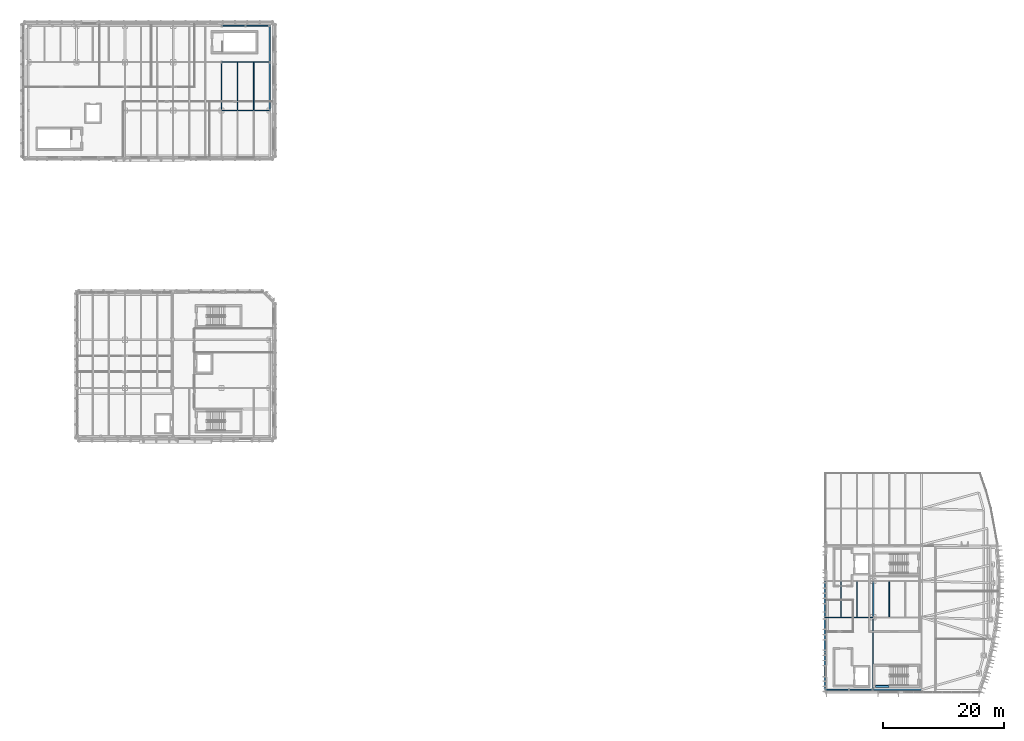
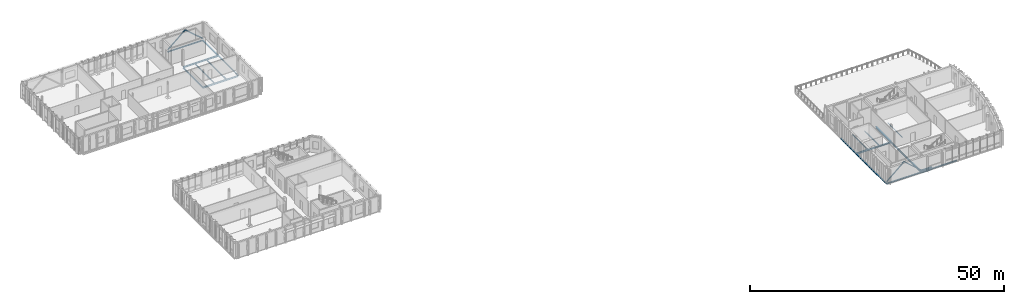
# One storey, part 16 of 40: 20 beams, 4 members.
"""IFC4 building model written with IfcOpenShell, lengths in metres."""

from ifc_helpers import new_model, si_unit, direction, frame, origin, origin_2d, place, context, subcontext, project, spatial, rectangle, hollow_rectangle, i_section, extrude, material, material_profile, profile_set, type_object, element, save


model = new_model("IFC4")

# Units and contexts
model_context = context("Model", 3, precision=1e-05, world=origin(), true_north=direction((0.0, 1.0)))
body_context = subcontext(model_context, "Body", "Model", "MODEL_VIEW")
ifc_project = project(units=[si_unit("LENGTHUNIT", "METRE"), si_unit("AREAUNIT", "SQUARE_METRE"), si_unit("VOLUMEUNIT", "CUBIC_METRE"), si_unit("PLANEANGLEUNIT", "RADIAN"), si_unit("MASSUNIT", "GRAM", prefix="KILO")], contexts=[model_context])

# Site, building, storey
site_placement = place(None, origin())
site = spatial("IfcSite", under=ifc_project, at=site_placement, CompositionType="ELEMENT")
building_placement = place(site_placement, origin())
building = spatial("IfcBuilding", under=site, at=building_placement, Name="Cymarion Research Institute", CompositionType="ELEMENT")
storey_placement = place(building_placement, frame((0.0, 0.0, 26.699951171875)))
storey = spatial("IfcBuildingStorey", under=building, at=storey_placement, Name="L06", CompositionType="ELEMENT", Elevation=26.699951171875)

# Beams
ifc_material_1 = material(Name="Concrete C40/50", Category="concrete")
ifc_material_profile_1 = material_profile(ifc_material_1, rectangle(XDim=0.300048828125, YDim=0.75, at=origin_2d()), Name="RC 300x750")
ifc_profile_set_1 = profile_set([ifc_material_profile_1], Name="Concrete C40/50")
beam_type_1 = type_object("IfcBeamType", Name="COUPLING LINTEL LN01 RC 300x750", PredefinedType="LINTEL", material=ifc_profile_set_1)
beam_1_placement = place(storey_placement, frame((147.0, 6.050048828125, -0.614990234375), z_axis=(1.0, 0.0, 0.0), x_axis=(0.0, 1.0, 0.0)))
element("IfcBeam", 1, at=beam_1_placement, inside=storey, type_object=beam_type_1, Name="L06 C1 core coupling lintel LN01", PredefinedType="LINTEL", context=body_context, shape_type="SweptSolid", body=[
    extrude(rectangle(XDim=0.300048828125, YDim=0.75, at=origin_2d()), origin(), (0.0, 0.0, 1.0), 2.199951171875),
])
ifc_material_2 = material(Name="Steel S355", Category="steel")
ifc_material_profile_2 = material_profile(ifc_material_2, i_section(OverallWidth=0.179931640625, OverallDepth=0.39990234375, WebThickness=0.008544921875, FlangeThickness=0.013427734375, FilletRadius=0.02099609375, at=origin_2d()), Name="IPE 400")
ifc_profile_set_2 = profile_set([ifc_material_profile_2], Name="Steel S355")
beam_type_2 = type_object("IfcBeamType", Name="PRIMARY GIRDER BM05 IPE 400", PredefinedType="BEAM", material=ifc_profile_set_2)
beam_2_placement = place(storey_placement, frame((138.60595703125, 17.5, -0.419921875), z_axis=(1.0, 0.0, 0.0), x_axis=(0.0, 1.0, 0.0)))
element("IfcBeam", 2, at=beam_2_placement, inside=storey, type_object=beam_type_2, Name="L06 V1 girder BM05 #2042", PredefinedType="BEAM", context=body_context, shape_type="SweptSolid", body=[
    extrude(i_section(OverallWidth=0.179931640625, OverallDepth=0.39990234375, WebThickness=0.008544921875, FlangeThickness=0.013427734375, FilletRadius=0.02099609375, at=origin_2d()), origin(), (0.0, 0.0, 1.0), 7.988037109375),
])
beam_3_placement = place(storey_placement, frame((146.60009765625, 5.506103515625, -0.419921875), z_axis=(0.0, 1.0, 0.0), x_axis=(-1.0, 0.0, 0.0)))
element("IfcBeam", 3, at=beam_3_placement, inside=storey, type_object=beam_type_2, Name="L06 V1 girder BM05 #2058", PredefinedType="BEAM", context=body_context, shape_type="SweptSolid", body=[
    extrude(i_section(OverallWidth=0.179931640625, OverallDepth=0.39990234375, WebThickness=0.008544921875, FlangeThickness=0.013427734375, FilletRadius=0.02099609375, at=origin_2d()), origin(), (0.0, 0.0, 1.0), 11.98779296875),
])
for number, where, z_axis, x_axis, name in (
    (4, (38.60595703125, 101.5, -0.419921875), (1.0, 0.0, 0.0), (0.0, 1.0, 0.0), "L06 V5 girder BM05 #2143"),
    (5, (38.60595703125, 109.5, -0.419921875), (1.0, 0.0, 0.0), (0.0, 1.0, 0.0), "L06 V5 girder BM05 #2148"),
):
    element("IfcBeam", number, at=place(storey_placement, frame(where, z_axis=z_axis, x_axis=x_axis)), inside=storey, type_object=beam_type_2, Name=name, PredefinedType="BEAM", context=body_context, shape_type="SweptSolid", body=[
        extrude(i_section(OverallWidth=0.179931640625, OverallDepth=0.39990234375, WebThickness=0.008544921875, FlangeThickness=0.013427734375, FilletRadius=0.02099609375, at=origin_2d()), origin(), (0.0, 0.0, 1.0), 7.988037109375),
    ])
beam_4_placement = place(storey_placement, frame((38.60009765625, 101.506103515625, -0.419921875), z_axis=(0.0, 1.0, 0.0), x_axis=(-1.0, 0.0, 0.0)))
element("IfcBeam", 6, at=beam_4_placement, inside=storey, type_object=beam_type_2, Name="L06 V5 girder BM05 #2165", PredefinedType="BEAM", context=body_context, shape_type="SweptSolid", body=[
    extrude(i_section(OverallWidth=0.179931640625, OverallDepth=0.39990234375, WebThickness=0.008544921875, FlangeThickness=0.013427734375, FilletRadius=0.02099609375, at=origin_2d()), origin(), (0.0, 0.0, 1.0), 7.98779296875),
])
ifc_material_profile_3 = material_profile(ifc_material_2, i_section(OverallWidth=0.300048828125, OverallDepth=0.35009765625, WebThickness=0.010009765625, FlangeThickness=0.017578125, FilletRadius=0.027099609375, at=origin_2d()), Name="HEA 360")
ifc_profile_set_3 = profile_set([ifc_material_profile_3], Name="Steel S355")
beam_type_3 = type_object("IfcBeamType", Name="PRIMARY GIRDER BM12 HEA 360", PredefinedType="BEAM", material=ifc_profile_set_3)
beam_5_placement = place(storey_placement, frame((146.60009765625, 17.506103515625, -0.39501953125), z_axis=(0.0, 1.0, 0.0), x_axis=(-1.0, 0.0, 0.0)))
element("IfcBeam", 7, at=beam_5_placement, inside=storey, type_object=beam_type_3, Name="L06 V1 girder BM12 #2059", PredefinedType="BEAM", context=body_context, shape_type="SweptSolid", body=[
    extrude(i_section(OverallWidth=0.300048828125, OverallDepth=0.35009765625, WebThickness=0.010009765625, FlangeThickness=0.017578125, FilletRadius=0.027099609375, at=origin_2d()), origin(), (0.0, 0.0, 1.0), 5.98779296875),
])
ifc_material_profile_4 = material_profile(ifc_material_2, i_section(OverallWidth=0.14990234375, OverallDepth=0.300048828125, WebThickness=0.007080078125, FlangeThickness=0.0107421875, FilletRadius=0.014892578125, at=origin_2d()), Name="IPE 300")
ifc_profile_set_4 = profile_set([ifc_material_profile_4], Name="Steel S355")
beam_type_4 = type_object("IfcBeamType", Name="SECONDARY JOIST JS02 IPE 300", PredefinedType="JOIST", material=ifc_profile_set_4)
for number, where, z_axis, x_axis, name in (
    (8, (41.2666015625, 101.593994140625, -0.369873046875), (0.0, 1.0, 0.0), (-1.0, 0.0, 0.0), "L06 V5 secondary joist JS02 #2179"),
    (9, (43.933349609375, 101.593994140625, -0.369873046875), (0.0, 1.0, 0.0), (-1.0, 0.0, 0.0), "L06 V5 secondary joist JS02 #2180"),
):
    element("IfcBeam", number, at=place(storey_placement, frame(where, z_axis=z_axis, x_axis=x_axis)), inside=storey, type_object=beam_type_4, Name=name, PredefinedType="JOIST", context=body_context, shape_type="SweptSolid", body=[
        extrude(i_section(OverallWidth=0.14990234375, OverallDepth=0.300048828125, WebThickness=0.007080078125, FlangeThickness=0.0107421875, FilletRadius=0.014892578125, at=origin_2d()), origin(), (0.0, 0.0, 1.0), 7.81201171875),
    ])
ifc_material_profile_5 = material_profile(ifc_material_2, i_section(OverallWidth=0.1201171875, OverallDepth=0.239990234375, WebThickness=0.006103515625, FlangeThickness=0.009765625, FilletRadius=0.014892578125, at=origin_2d()), Name="IPE 240")
ifc_profile_set_5 = profile_set([ifc_material_profile_5], Name="Steel S355")
beam_type_5 = type_object("IfcBeamType", Name="SECONDARY JOIST JS04 IPE 240", PredefinedType="JOIST", material=ifc_profile_set_5)
for number, where, z_axis, x_axis, name in (
    (10, (141.2666015625, 17.593994140625, -0.33984375), (0.0, 1.0, 0.0), (-1.0, 0.0, 0.0), "L06 V1 secondary joist JS04 #2085"),
    (11, (143.933349609375, 17.593994140625, -0.33984375), (0.0, 1.0, 0.0), (-1.0, 0.0, 0.0), "L06 V1 secondary joist JS04 #2086"),
    (12, (149.2666015625, 17.593994140625, -0.33984375), (0.0, 1.0, 0.0), (-1.0, 0.0, 0.0), "L06 V1 secondary joist JS04 #2087"),
):
    element("IfcBeam", number, at=place(storey_placement, frame(where, z_axis=z_axis, x_axis=x_axis)), inside=storey, type_object=beam_type_5, Name=name, PredefinedType="JOIST", context=body_context, shape_type="SweptSolid", body=[
        extrude(i_section(OverallWidth=0.1201171875, OverallDepth=0.239990234375, WebThickness=0.006103515625, FlangeThickness=0.009765625, FilletRadius=0.014892578125, at=origin_2d()), origin(), (0.0, 0.0, 1.0), 5.81201171875),
    ])
ifc_material_profile_6 = material_profile(ifc_material_2, i_section(OverallWidth=0.239990234375, OverallDepth=0.22998046875, WebThickness=0.007568359375, FlangeThickness=0.011962890625, FilletRadius=0.02099609375, at=origin_2d()), Name="HEA 240")
ifc_profile_set_6 = profile_set([ifc_material_profile_6], Name="Steel S355")
beam_type_6 = type_object("IfcBeamType", Name="SPANDREL BEAM SPB03 HEA 240", PredefinedType="SPANDREL", material=ifc_profile_set_6)
for number, where, z_axis, x_axis, name in (
    (13, (138.60595703125, 5.5, -0.3349609375), (1.0, 0.0, 0.0), (0.0, 1.0, 0.0), "L06 V1 girder SPB03 #2040"),
    (14, (146.60595703125, 5.5, -0.3349609375), (1.0, 0.0, 0.0), (0.0, 1.0, 0.0), "L06 V1 girder SPB03 #2041"),
):
    element("IfcBeam", number, at=place(storey_placement, frame(where, z_axis=z_axis, x_axis=x_axis)), inside=storey, type_object=beam_type_6, Name=name, PredefinedType="SPANDREL", context=body_context, shape_type="SweptSolid", body=[
        extrude(i_section(OverallWidth=0.239990234375, OverallDepth=0.22998046875, WebThickness=0.007568359375, FlangeThickness=0.011962890625, FilletRadius=0.02099609375, at=origin_2d()), origin(), (0.0, 0.0, 1.0), 7.988037109375),
    ])
for number, where, z_axis, x_axis, name in (
    (15, (138.60009765625, 5.506103515625, -0.3349609375), (0.0, 1.0, 0.0), (-1.0, 0.0, 0.0), "L06 V1 girder SPB03 #2052"),
    (16, (138.60009765625, 11.506103515625, -0.3349609375), (0.0, 1.0, 0.0), (-1.0, 0.0, 0.0), "L06 V1 girder SPB03 #2053"),
    (17, (138.60009765625, 17.506103515625, -0.3349609375), (0.0, 1.0, 0.0), (-1.0, 0.0, 0.0), "L06 V1 girder SPB03 #2054"),
):
    element("IfcBeam", number, at=place(storey_placement, frame(where, z_axis=z_axis, x_axis=x_axis)), inside=storey, type_object=beam_type_6, Name=name, PredefinedType="SPANDREL", context=body_context, shape_type="SweptSolid", body=[
        extrude(i_section(OverallWidth=0.239990234375, OverallDepth=0.22998046875, WebThickness=0.007568359375, FlangeThickness=0.011962890625, FilletRadius=0.02099609375, at=origin_2d()), origin(), (0.0, 0.0, 1.0), 5.98779296875),
    ])
beam_6_placement = place(storey_placement, frame((38.60595703125, 115.5, -0.3349609375), z_axis=(1.0, 0.0, 0.0), x_axis=(0.0, 1.0, 0.0)))
element("IfcBeam", 18, at=beam_6_placement, inside=storey, type_object=beam_type_6, Name="L06 V5 girder SPB03 #2153", PredefinedType="SPANDREL", context=body_context, shape_type="SweptSolid", body=[
    extrude(i_section(OverallWidth=0.239990234375, OverallDepth=0.22998046875, WebThickness=0.007568359375, FlangeThickness=0.011962890625, FilletRadius=0.02099609375, at=origin_2d()), origin(), (0.0, 0.0, 1.0), 7.988037109375),
])
beam_7_placement = place(storey_placement, frame((46.60009765625, 109.506103515625, -0.3349609375), z_axis=(0.0, 1.0, 0.0), x_axis=(-1.0, 0.0, 0.0)))
element("IfcBeam", 19, at=beam_7_placement, inside=storey, type_object=beam_type_6, Name="L06 V5 girder SPB03 #2168", PredefinedType="SPANDREL", context=body_context, shape_type="SweptSolid", body=[
    extrude(i_section(OverallWidth=0.239990234375, OverallDepth=0.22998046875, WebThickness=0.007568359375, FlangeThickness=0.011962890625, FilletRadius=0.02099609375, at=origin_2d()), origin(), (0.0, 0.0, 1.0), 5.98779296875),
])
ifc_material_profile_7 = material_profile(ifc_material_2, i_section(OverallWidth=0.199951171875, OverallDepth=0.18994140625, WebThickness=0.006591796875, FlangeThickness=0.010009765625, FilletRadius=0.01806640625, at=origin_2d()), Name="HEA 200")
ifc_profile_set_7 = profile_set([ifc_material_profile_7], Name="Steel S355")
beam_type_7 = type_object("IfcBeamType", Name="SPANDREL BEAM SPB04 HEA 200", PredefinedType="SPANDREL", material=ifc_profile_set_7)
beam_8_placement = place(storey_placement, frame((46.60009765625, 101.506103515625, -0.31494140625), z_axis=(0.0, 1.0, 0.0), x_axis=(-1.0, 0.0, 0.0)))
element("IfcBeam", 20, at=beam_8_placement, inside=storey, type_object=beam_type_7, Name="L06 V5 girder SPB04 #2167", PredefinedType="SPANDREL", context=body_context, shape_type="SweptSolid", body=[
    extrude(i_section(OverallWidth=0.199951171875, OverallDepth=0.18994140625, WebThickness=0.006591796875, FlangeThickness=0.010009765625, FilletRadius=0.01806640625, at=origin_2d()), origin(), (0.0, 0.0, 1.0), 7.98779296875),
])

# Members
ifc_material_profile_8 = material_profile(ifc_material_2, hollow_rectangle(XDim=0.199951171875, YDim=0.199951171875, WallThickness=0.010009765625, InnerFilletRadius=0.014892578125, OuterFilletRadius=0.02490234375, at=origin_2d()), Name="SHS 200x200x10")
ifc_profile_set_8 = profile_set([ifc_material_profile_8], Name="Steel S355")
member_type_1 = type_object("IfcMemberType", Name="STRUCTURAL MEMBER BR07 SHS 200x200x10", PredefinedType="BRACE", material=ifc_profile_set_8)
for number, where, z_axis, x_axis, name in (
    (21, (138.615234375, 5.5, 0.1201171875), (0.758217409765, 0.0, 0.652001809453), (0.0, 1.0, 0.0), "L06 V1 seismic chevron brace BR07 #1"),
    (22, (146.584716796875, 5.5, 0.1201171875), (-0.758217409765, 0.0, 0.652001809453), (0.0, -1.0, 0.0), "L06 V1 seismic chevron brace BR07 #2"),
):
    element("IfcMember", number, at=place(storey_placement, frame(where, z_axis=z_axis, x_axis=x_axis)), inside=storey, type_object=member_type_1, Name=name, PredefinedType="BRACE", context=body_context, shape_type="SweptSolid", body=[
        extrude(hollow_rectangle(XDim=0.199951171875, YDim=0.199951171875, WallThickness=0.010009765625, InnerFilletRadius=0.014892578125, OuterFilletRadius=0.02490234375, at=origin_2d()), origin(), (0.0, 0.0, 1.0), 5.245361328125),
    ])
ifc_material_profile_9 = material_profile(ifc_material_2, hollow_rectangle(XDim=0.14990234375, YDim=0.25, WallThickness=0.010009765625, InnerFilletRadius=0.014892578125, OuterFilletRadius=0.02490234375, at=origin_2d()), Name="RHS 250x150x10")
ifc_profile_set_9 = profile_set([ifc_material_profile_9], Name="Steel S355")
member_type_2 = type_object("IfcMemberType", Name="STRUCTURAL MEMBER BR09 RHS 250x150x10", PredefinedType="BRACE", material=ifc_profile_set_9)
for number, where, z_axis, x_axis, name in (
    (23, (38.615234375, 115.5, 0.1201171875), (0.758217409765, 0.0, 0.652001809453), (0.0, 1.0, 0.0), "L06 V5 seismic chevron brace BR09 #1"),
    (24, (46.584716796875, 115.5, 0.1201171875), (-0.758217409765, 0.0, 0.652001809453), (0.0, -1.0, 0.0), "L06 V5 seismic chevron brace BR09 #2"),
):
    element("IfcMember", number, at=place(storey_placement, frame(where, z_axis=z_axis, x_axis=x_axis)), inside=storey, type_object=member_type_2, Name=name, PredefinedType="BRACE", context=body_context, shape_type="SweptSolid", body=[
        extrude(hollow_rectangle(XDim=0.14990234375, YDim=0.25, WallThickness=0.010009765625, InnerFilletRadius=0.014892578125, OuterFilletRadius=0.02490234375, at=origin_2d()), origin(), (0.0, 0.0, 1.0), 5.245361328125),
    ])

save(model, "model.ifc")
